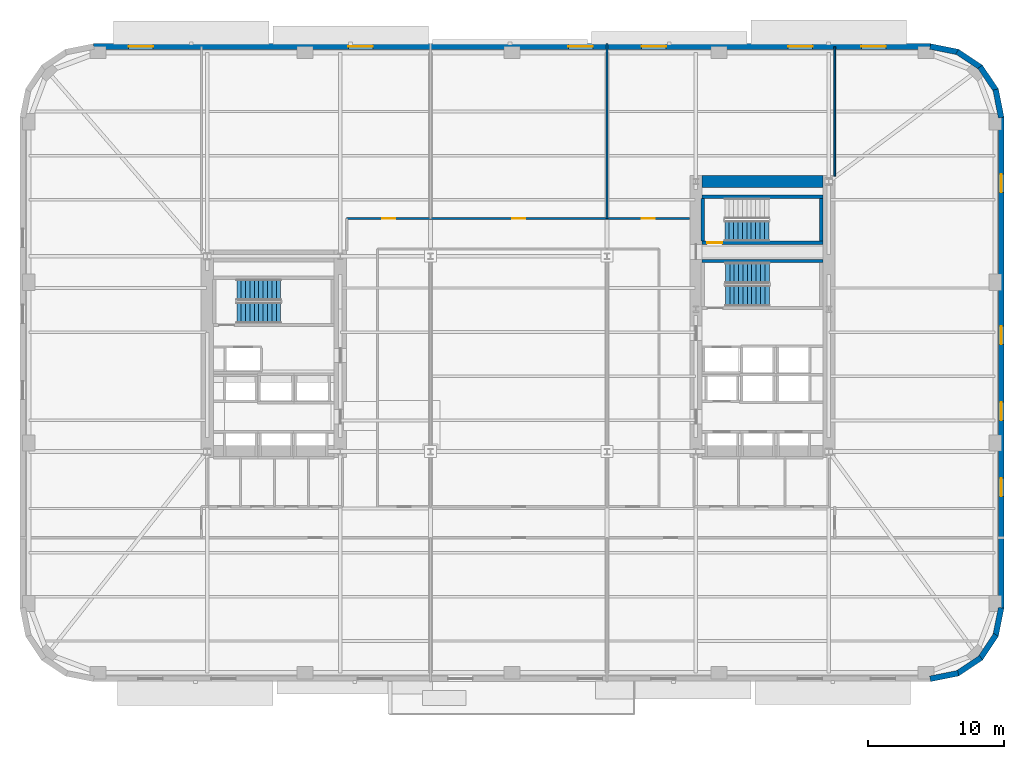
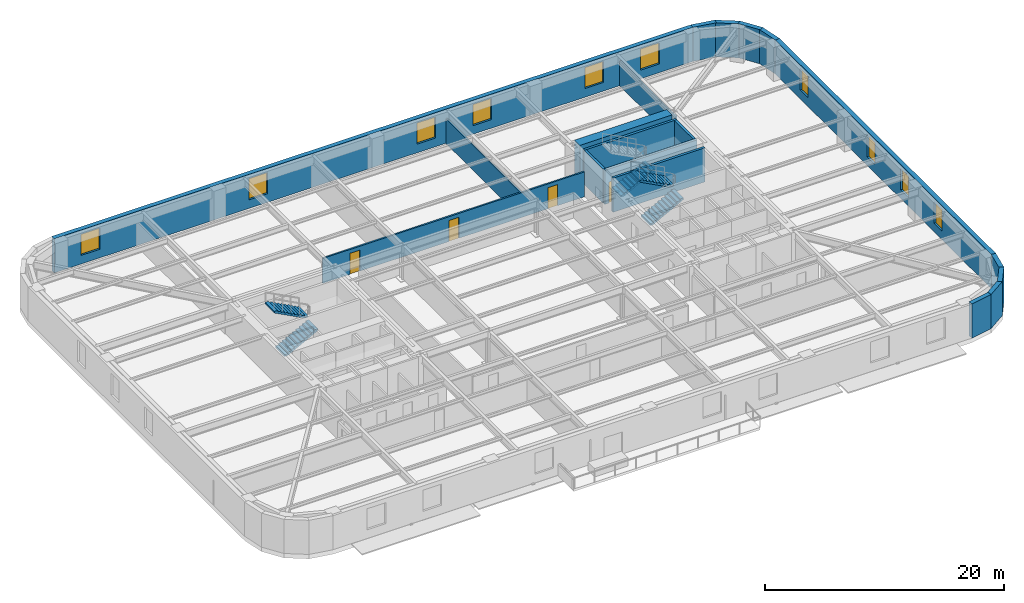
# One storey, part 7 of 15: 19 walls, 10 windows, 5 stair flights, 4 doors, 14 openings, 3 elements without a shape of their own.
"""IFC4 building model written with IfcOpenShell, lengths in metres."""

from ifc_helpers import new_model, si_unit, direction, frame, frame_2d, origin, place, context, subcontext, project, spatial, polyline, rectangle, outline, extrude, material, layer, layer_set, type_object, element, fill, aggregate, save


model = new_model("IFC4")

# Units and contexts
model_context = context("Model", 3, precision=1e-05, world=origin(), true_north=direction((0.0, 1.0)))
body_context = subcontext(model_context, "Body", "Model", "MODEL_VIEW")
ifc_project = project(units=[si_unit("LENGTHUNIT", "METRE"), si_unit("AREAUNIT", "SQUARE_METRE"), si_unit("VOLUMEUNIT", "CUBIC_METRE"), si_unit("PLANEANGLEUNIT", "RADIAN"), si_unit("MASSUNIT", "GRAM", prefix="KILO")], contexts=[model_context])

# Site, building, storey
site_placement = place(None, origin())
site = spatial("IfcSite", under=ifc_project, at=site_placement, CompositionType="ELEMENT")
building_placement = place(site_placement, origin())
building = spatial("IfcBuilding", under=site, at=building_placement, Name="Kolvaren Arena Tower", CompositionType="ELEMENT")
storey_placement = place(building_placement, frame((0.0, 0.0, 42.0)))
storey = spatial("IfcBuildingStorey", under=building, at=storey_placement, Name="L07", CompositionType="ELEMENT", Elevation=42.0)

# Wall, openings, doors
ifc_material_1 = material(Name="Gypsum board acoustic assembly", Category="gypsum")
ifc_layer_1 = layer(ifc_material_1, 0.159912109375)
ifc_layer_set_1 = layer_set([ifc_layer_1], Name="Gypsum board acoustic assembly")
wall_type_1 = type_object("IfcWallType", Name="CORR-160", PredefinedType="PARTITIONING", material=ifc_layer_set_1)
wall_1_placement = place(storey_placement, frame((24.820068359375, 36.6201171875, 0.0), z_axis=(0.0, 0.0, 1.0), x_axis=(1.0, 0.0, 0.0)))
wall_1 = element("IfcWall", 1, at=wall_1_placement, inside=storey, type_object=wall_type_1, Name="Interior Partition Wall (L07)", PredefinedType="PARTITIONING", context=body_context, shape_type="SweptSolid", body=[
    extrude(rectangle(XDim=25.260009765625, YDim=0.159912109375, at=frame_2d((12.6298828125, 0.0))), origin(), (0.0, 0.0, 1.0), 2.5400390625),
])
opening_1_placement = place(wall_1_placement, frame((2.6298828125, 0.0, 0.0)))
opening_1 = element("IfcOpeningElement", 2, at=opening_1_placement, cuts=wall_1, Name="Opening D05", PredefinedType="OPENING", context=body_context, shape_type="SweptSolid", body=[
    extrude(rectangle(XDim=0.949951171875, YDim=2.14990234375, at=frame_2d((0.47509765625, 1.074951171875))), frame((0.0, 0.08984375, 0.0), z_axis=(0.0, -1.0, 0.0), x_axis=(1.0, 0.0, 0.0)), (0.0, 0.0, 1.0), 0.179931640625),
])
opening_2_placement = place(wall_1_placement, frame((12.205078125, 0.0, 0.0)))
opening_2 = element("IfcOpeningElement", 3, at=opening_2_placement, cuts=wall_1, Name="Opening D05", PredefinedType="OPENING", context=body_context, shape_type="SweptSolid", body=[
    extrude(rectangle(XDim=0.949951171875, YDim=2.14990234375, at=frame_2d((0.47509765625, 1.074951171875))), frame((0.0, 0.08984375, 0.0), z_axis=(0.0, -1.0, 0.0), x_axis=(1.0, 0.0, 0.0)), (0.0, 0.0, 1.0), 0.179931640625),
])
opening_3_placement = place(wall_1_placement, frame((21.72998046875, 0.0, 0.0)))
opening_3 = element("IfcOpeningElement", 4, at=opening_3_placement, cuts=wall_1, Name="Opening D05", PredefinedType="OPENING", context=body_context, shape_type="SweptSolid", body=[
    extrude(rectangle(XDim=0.949951171875, YDim=2.14990234375, at=frame_2d((0.47509765625, 1.074951171875))), frame((0.0, 0.08984375, 0.0), z_axis=(0.0, -1.0, 0.0), x_axis=(1.0, 0.0, 0.0)), (0.0, 0.0, 1.0), 0.179931640625),
])
ifc_material_2 = material(Name="Solid-core oak acoustic office door", Category="wood")
door_type_1 = type_object("IfcDoorType", Name="DOOR-OF-095", OperationType="NOTDEFINED", PredefinedType="DOOR", material=ifc_material_2)
door_1_placement = place(opening_1_placement, origin())
door_1 = element("IfcDoor", 5, at=door_1_placement, inside=storey, type_object=door_type_1, Name="Breakout Pantry and Kitchen Door (L07)", OperationType="SINGLE_SWING_RIGHT", OverallHeight=2.14990234375, OverallWidth=0.949951171875, PredefinedType="DOOR", context=body_context, shape_type="SweptSolid", body=[
    extrude(rectangle(XDim=0.949951171875, YDim=2.14990234375, at=frame_2d((0.47509765625, 1.074951171875))), frame((0.0, 0.02490234375, 0.0), z_axis=(0.0, -1.0, 0.0), x_axis=(1.0, 0.0, 0.0)), (0.0, 0.0, 1.0), 0.050048828125),
])
fill(opening_1, door_1)
door_2_placement = place(opening_2_placement, origin())
door_2 = element("IfcDoor", 6, at=door_2_placement, inside=storey, type_object=door_type_1, Name="Corporate Project Office Door (L07)", OperationType="SINGLE_SWING_LEFT", OverallHeight=2.14990234375, OverallWidth=0.949951171875, PredefinedType="DOOR", context=body_context, shape_type="SweptSolid", body=[
    extrude(rectangle(XDim=0.949951171875, YDim=2.14990234375, at=frame_2d((0.47509765625, 1.074951171875))), frame((0.0, 0.02490234375, 0.0), z_axis=(0.0, -1.0, 0.0), x_axis=(1.0, 0.0, 0.0)), (0.0, 0.0, 1.0), 0.050048828125),
])
fill(opening_2, door_2)
door_3_placement = place(opening_3_placement, origin())
door_3 = element("IfcDoor", 7, at=door_3_placement, inside=storey, type_object=door_type_1, Name="Executive Office Door (L07)", OperationType="SINGLE_SWING_RIGHT", OverallHeight=2.14990234375, OverallWidth=0.949951171875, PredefinedType="DOOR", context=body_context, shape_type="SweptSolid", body=[
    extrude(rectangle(XDim=0.949951171875, YDim=2.14990234375, at=frame_2d((0.47509765625, 1.074951171875))), frame((0.0, 0.02490234375, 0.0), z_axis=(0.0, -1.0, 0.0), x_axis=(1.0, 0.0, 0.0)), (0.0, 0.0, 1.0), 0.050048828125),
])
fill(opening_3, door_3)

# Walls
ifc_material_3 = material(Name="Concrete 80 MPa", Category="concrete")
ifc_layer_2 = layer(ifc_material_3, 0.89990234375)
ifc_layer_set_2 = layer_set([ifc_layer_2], Name="Concrete 80 MPa")
wall_type_2 = type_object("IfcWallType", Name="CWALL-900", PredefinedType="SHEAR", material=ifc_layer_set_2)
wall_2_placement = place(storey_placement, frame((51.0, 39.35009765625, -0.449951171875), z_axis=(0.0, 0.0, 1.0), x_axis=(1.0, 0.0, 0.0)))
element("IfcWall", 8, at=wall_2_placement, inside=storey, type_object=wall_type_2, Name="Core Shear Wall EC-NORTH (L07)", PredefinedType="SHEAR", context=body_context, shape_type="SweptSolid", body=[
    extrude(rectangle(XDim=8.89990234375, YDim=0.89990234375, at=frame_2d((4.449951171875, 0.0))), origin(), (0.0, 0.0, 1.0), 3.929931640625),
])
ifc_material_4 = material(Name="Precast concrete C50/60", Category="concrete")
ifc_layer_3 = layer(ifc_material_4, 0.419921875)
ifc_layer_set_3 = layer_set([ifc_layer_3], Name="Precast concrete C50/60")
wall_type_3 = type_object("IfcWallType", Name="EXT-PIER1", PredefinedType="SOLIDWALL", material=ifc_layer_set_3)
for number, where, z_axis, x_axis, name in (
    (9, (69.87548828125, 3.1171875, 0.0), (0.0, 0.0, 1.0), (-0.9807762837, -0.195135546048, 0.0), "Exterior Precast Masonry-Frame Wall (L07)"),
    (10, (71.5517578125, 4.256103515625, 0.0), (0.0, 0.0, 1.0), (-0.831515102434, -0.555502146192, 0.0), "Exterior Precast Masonry-Frame Wall (L07)"),
    (11, (72.664306640625, 5.9501953125, 0.0), (0.0, 0.0, 1.0), (-0.555502146192, -0.831515102434, 0.0), "Exterior Precast Masonry-Frame Wall (L07)"),
    (12, (73.0439453125, 7.94091796875, 0.0), (0.0, 0.0, 1.0), (-0.195135546048, -0.9807762837, 0.0), "Exterior Precast Masonry-Frame Wall (L07)"),
):
    element("IfcWall", number, at=place(storey_placement, frame(where, z_axis=z_axis, x_axis=x_axis)), inside=storey, type_object=wall_type_3, Name=name, PredefinedType="SOLIDWALL", context=body_context, shape_type="SweptSolid", body=[
        extrude(rectangle(XDim=2.10693359375, YDim=0.419921875, at=frame_2d((1.053466796875, 0.0))), origin(), (0.0, 0.0, 1.0), 3.47998046875),
    ])

# Wall, openings, windows
wall_3_placement = place(storey_placement, frame((73.0400390625, 44.10009765625, 0.0), z_axis=(0.0, 0.0, 1.0), x_axis=(0.0, -1.0, 0.0)))
wall_3 = element("IfcWall", 13, at=wall_3_placement, inside=storey, type_object=wall_type_3, Name="Exterior Precast Masonry-Frame Wall (L07)", PredefinedType="SOLIDWALL", context=body_context, shape_type="SweptSolid", body=[
    extrude(rectangle(XDim=36.2001953125, YDim=0.419921875, at=frame_2d((18.10009765625, 0.0))), origin(), (0.0, 0.0, 1.0), 3.47998046875),
])
opening_4_placement = place(wall_3_placement, frame((4.199951171875, 0.0, 0.8798828125)))
opening_4 = element("IfcOpeningElement", 14, at=opening_4_placement, cuts=wall_3, Name="Opening W04", PredefinedType="OPENING", context=body_context, shape_type="SweptSolid", body=[
    extrude(rectangle(XDim=1.35009765625, YDim=2.199951171875, at=frame_2d((0.675048828125, 1.10009765625))), frame((0.0, 0.219970703125, 0.0), z_axis=(0.0, -1.0, 0.0), x_axis=(1.0, 0.0, 0.0)), (0.0, 0.0, 1.0), 0.43994140625),
])
opening_5_placement = place(wall_3_placement, frame((15.39990234375, 0.0, 0.8798828125)))
opening_5 = element("IfcOpeningElement", 15, at=opening_5_placement, cuts=wall_3, Name="Opening W04", PredefinedType="OPENING", context=body_context, shape_type="SweptSolid", body=[
    extrude(rectangle(XDim=1.35009765625, YDim=2.199951171875, at=frame_2d((0.675048828125, 1.10009765625))), frame((0.0, 0.219970703125, 0.0), z_axis=(0.0, -1.0, 0.0), x_axis=(1.0, 0.0, 0.0)), (0.0, 0.0, 1.0), 0.43994140625),
])
opening_6_placement = place(wall_3_placement, frame((21.0, 0.0, 0.8798828125)))
opening_6 = element("IfcOpeningElement", 16, at=opening_6_placement, cuts=wall_3, Name="Opening W04", PredefinedType="OPENING", context=body_context, shape_type="SweptSolid", body=[
    extrude(rectangle(XDim=1.35009765625, YDim=2.199951171875, at=frame_2d((0.675048828125, 1.10009765625))), frame((0.0, 0.219970703125, 0.0), z_axis=(0.0, -1.0, 0.0), x_axis=(1.0, 0.0, 0.0)), (0.0, 0.0, 1.0), 0.43994140625),
])
opening_7_placement = place(wall_3_placement, frame((26.60009765625, 0.0, 0.8798828125)))
opening_7 = element("IfcOpeningElement", 17, at=opening_7_placement, cuts=wall_3, Name="Opening W04", PredefinedType="OPENING", context=body_context, shape_type="SweptSolid", body=[
    extrude(rectangle(XDim=1.35009765625, YDim=2.199951171875, at=frame_2d((0.675048828125, 1.10009765625))), frame((0.0, 0.219970703125, 0.0), z_axis=(0.0, -1.0, 0.0), x_axis=(1.0, 0.0, 0.0)), (0.0, 0.0, 1.0), 0.43994140625),
])
ifc_material_5 = material(Name="Triple-glazed curved-facet corner window", Category="glass")
window_type_1 = type_object("IfcWindowType", Name="WIN-CRN-A", PartitioningType="SINGLE_PANEL", PredefinedType="WINDOW", material=ifc_material_5)
window_1_placement = place(opening_4_placement, origin())
window_1 = element("IfcWindow", 18, at=window_1_placement, inside=storey, type_object=window_type_1, Name="End-Wall Punched Window (L07)", OverallHeight=2.199951171875, OverallWidth=1.35009765625, PartitioningType="SINGLE_PANEL", PredefinedType="WINDOW", context=body_context, shape_type="SweptSolid", body=[
    extrude(rectangle(XDim=1.35009765625, YDim=2.199951171875, at=frame_2d((0.675048828125, 1.10009765625))), frame((0.0, 0.030029296875, 0.0), z_axis=(0.0, -1.0, 0.0), x_axis=(1.0, 0.0, 0.0)), (0.0, 0.0, 1.0), 0.06005859375),
])
fill(opening_4, window_1)
window_2_placement = place(opening_5_placement, origin())
window_2 = element("IfcWindow", 19, at=window_2_placement, inside=storey, type_object=window_type_1, Name="End-Wall Punched Window (L07)", OverallHeight=2.199951171875, OverallWidth=1.35009765625, PartitioningType="SINGLE_PANEL", PredefinedType="WINDOW", context=body_context, shape_type="SweptSolid", body=[
    extrude(rectangle(XDim=1.35009765625, YDim=2.199951171875, at=frame_2d((0.675048828125, 1.10009765625))), frame((0.0, 0.030029296875, 0.0), z_axis=(0.0, -1.0, 0.0), x_axis=(1.0, 0.0, 0.0)), (0.0, 0.0, 1.0), 0.06005859375),
])
fill(opening_5, window_2)
window_3_placement = place(opening_6_placement, origin())
window_3 = element("IfcWindow", 20, at=window_3_placement, inside=storey, type_object=window_type_1, Name="End-Wall Punched Window (L07)", OverallHeight=2.199951171875, OverallWidth=1.35009765625, PartitioningType="SINGLE_PANEL", PredefinedType="WINDOW", context=body_context, shape_type="SweptSolid", body=[
    extrude(rectangle(XDim=1.35009765625, YDim=2.199951171875, at=frame_2d((0.675048828125, 1.10009765625))), frame((0.0, 0.030029296875, 0.0), z_axis=(0.0, -1.0, 0.0), x_axis=(1.0, 0.0, 0.0)), (0.0, 0.0, 1.0), 0.06005859375),
])
fill(opening_6, window_3)
window_4_placement = place(opening_7_placement, origin())
window_4 = element("IfcWindow", 21, at=window_4_placement, inside=storey, type_object=window_type_1, Name="End-Wall Punched Window (L07)", OverallHeight=2.199951171875, OverallWidth=1.35009765625, PartitioningType="SINGLE_PANEL", PredefinedType="WINDOW", context=body_context, shape_type="SweptSolid", body=[
    extrude(rectangle(XDim=1.35009765625, YDim=2.199951171875, at=frame_2d((0.675048828125, 1.10009765625))), frame((0.0, 0.030029296875, 0.0), z_axis=(0.0, -1.0, 0.0), x_axis=(1.0, 0.0, 0.0)), (0.0, 0.0, 1.0), 0.06005859375),
])
fill(opening_7, window_4)

# Walls
for number, where, z_axis, x_axis, name in (
    (22, (72.6328125, 46.12548828125, 0.0), (0.0, 0.0, 1.0), (0.195135546048, -0.9807762837, 0.0), "Exterior Precast Masonry-Frame Wall (L07)"),
    (23, (71.493896484375, 47.8017578125, 0.0), (0.0, 0.0, 1.0), (0.555502146192, -0.831515102434, 0.0), "Exterior Precast Masonry-Frame Wall (L07)"),
    (24, (69.7998046875, 48.914306640625, 0.0), (0.0, 0.0, 1.0), (0.831515102434, -0.555502146192, 0.0), "Exterior Precast Masonry-Frame Wall (L07)"),
    (25, (67.80908203125, 49.2939453125, 0.0), (0.0, 0.0, 1.0), (0.9807762837, -0.195135546048, 0.0), "Exterior Precast Masonry-Frame Wall (L07)"),
):
    element("IfcWall", number, at=place(storey_placement, frame(where, z_axis=z_axis, x_axis=x_axis)), inside=storey, type_object=wall_type_3, Name=name, PredefinedType="SOLIDWALL", context=body_context, shape_type="SweptSolid", body=[
        extrude(rectangle(XDim=2.10693359375, YDim=0.419921875, at=frame_2d((1.053466796875, 0.0))), origin(), (0.0, 0.0, 1.0), 3.47998046875),
    ])

# Wall, openings, windows
wall_4_placement = place(storey_placement, frame((6.14990234375, 49.2900390625, 0.0), z_axis=(0.0, 0.0, 1.0), x_axis=(1.0, 0.0, 0.0)))
wall_4 = element("IfcWall", 26, at=wall_4_placement, inside=storey, type_object=wall_type_3, Name="Exterior Precast Masonry-Frame Wall (L07)", PredefinedType="SOLIDWALL", context=body_context, shape_type="SweptSolid", body=[
    extrude(rectangle(XDim=61.7001953125, YDim=0.419921875, at=frame_2d((30.85009765625, 0.0))), origin(), (0.0, 0.0, 1.0), 3.47998046875),
])
opening_8_placement = place(wall_4_placement, frame((2.60009765625, 0.0, 0.8798828125)))
opening_8 = element("IfcOpeningElement", 27, at=opening_8_placement, cuts=wall_4, Name="Opening W02", PredefinedType="OPENING", context=body_context, shape_type="SweptSolid", body=[
    extrude(rectangle(XDim=1.800048828125, YDim=2.14990234375, at=frame_2d((0.89990234375, 1.074951171875))), frame((0.0, 0.219970703125, 0.0), z_axis=(0.0, -1.0, 0.0), x_axis=(1.0, 0.0, 0.0)), (0.0, 0.0, 1.0), 0.43994140625),
])
opening_9_placement = place(wall_4_placement, frame((18.800048828125, 0.0, 0.8798828125)))
opening_9 = element("IfcOpeningElement", 28, at=opening_9_placement, cuts=wall_4, Name="Opening W02", PredefinedType="OPENING", context=body_context, shape_type="SweptSolid", body=[
    extrude(rectangle(XDim=1.800048828125, YDim=2.14990234375, at=frame_2d((0.89990234375, 1.074951171875))), frame((0.0, 0.219970703125, 0.0), z_axis=(0.0, -1.0, 0.0), x_axis=(1.0, 0.0, 0.0)), (0.0, 0.0, 1.0), 0.43994140625),
])
opening_10_placement = place(wall_4_placement, frame((35.0, 0.0, 0.8798828125)))
opening_10 = element("IfcOpeningElement", 29, at=opening_10_placement, cuts=wall_4, Name="Opening W02", PredefinedType="OPENING", context=body_context, shape_type="SweptSolid", body=[
    extrude(rectangle(XDim=1.800048828125, YDim=2.14990234375, at=frame_2d((0.89990234375, 1.074951171875))), frame((0.0, 0.219970703125, 0.0), z_axis=(0.0, -1.0, 0.0), x_axis=(1.0, 0.0, 0.0)), (0.0, 0.0, 1.0), 0.43994140625),
])
opening_11_placement = place(wall_4_placement, frame((40.39990234375, 0.0, 0.8798828125)))
opening_11 = element("IfcOpeningElement", 30, at=opening_11_placement, cuts=wall_4, Name="Opening W02", PredefinedType="OPENING", context=body_context, shape_type="SweptSolid", body=[
    extrude(rectangle(XDim=1.800048828125, YDim=2.14990234375, at=frame_2d((0.89990234375, 1.074951171875))), frame((0.0, 0.219970703125, 0.0), z_axis=(0.0, -1.0, 0.0), x_axis=(1.0, 0.0, 0.0)), (0.0, 0.0, 1.0), 0.43994140625),
])
opening_12_placement = place(wall_4_placement, frame((51.199951171875, 0.0, 0.8798828125)))
opening_12 = element("IfcOpeningElement", 31, at=opening_12_placement, cuts=wall_4, Name="Opening W02", PredefinedType="OPENING", context=body_context, shape_type="SweptSolid", body=[
    extrude(rectangle(XDim=1.800048828125, YDim=2.14990234375, at=frame_2d((0.89990234375, 1.074951171875))), frame((0.0, 0.219970703125, 0.0), z_axis=(0.0, -1.0, 0.0), x_axis=(1.0, 0.0, 0.0)), (0.0, 0.0, 1.0), 0.43994140625),
])
opening_13_placement = place(wall_4_placement, frame((56.60009765625, 0.0, 0.8798828125)))
opening_13 = element("IfcOpeningElement", 32, at=opening_13_placement, cuts=wall_4, Name="Opening W02", PredefinedType="OPENING", context=body_context, shape_type="SweptSolid", body=[
    extrude(rectangle(XDim=1.800048828125, YDim=2.14990234375, at=frame_2d((0.89990234375, 1.074951171875))), frame((0.0, 0.219970703125, 0.0), z_axis=(0.0, -1.0, 0.0), x_axis=(1.0, 0.0, 0.0)), (0.0, 0.0, 1.0), 0.43994140625),
])
ifc_material_6 = material(Name="Triple-glazed low-E aluminium window", Category="aluminium")
window_type_2 = type_object("IfcWindowType", Name="WIN-OFF-B", PartitioningType="DOUBLE_PANEL_VERTICAL", PredefinedType="WINDOW", material=ifc_material_6)
window_5_placement = place(opening_8_placement, origin())
window_5 = element("IfcWindow", 33, at=window_5_placement, inside=storey, type_object=window_type_2, Name="Punched Precast-Pier Window (L07)", OverallHeight=2.14990234375, OverallWidth=1.800048828125, PartitioningType="DOUBLE_PANEL_VERTICAL", PredefinedType="WINDOW", context=body_context, shape_type="SweptSolid", body=[
    extrude(rectangle(XDim=1.800048828125, YDim=2.14990234375, at=frame_2d((0.89990234375, 1.074951171875))), frame((0.0, 0.030029296875, 0.0), z_axis=(0.0, -1.0, 0.0), x_axis=(1.0, 0.0, 0.0)), (0.0, 0.0, 1.0), 0.06005859375),
])
fill(opening_8, window_5)
window_6_placement = place(opening_9_placement, origin())
window_6 = element("IfcWindow", 34, at=window_6_placement, inside=storey, type_object=window_type_2, Name="Punched Precast-Pier Window (L07)", OverallHeight=2.14990234375, OverallWidth=1.800048828125, PartitioningType="DOUBLE_PANEL_VERTICAL", PredefinedType="WINDOW", context=body_context, shape_type="SweptSolid", body=[
    extrude(rectangle(XDim=1.800048828125, YDim=2.14990234375, at=frame_2d((0.89990234375, 1.074951171875))), frame((0.0, 0.030029296875, 0.0), z_axis=(0.0, -1.0, 0.0), x_axis=(1.0, 0.0, 0.0)), (0.0, 0.0, 1.0), 0.06005859375),
])
fill(opening_9, window_6)
window_7_placement = place(opening_10_placement, origin())
window_7 = element("IfcWindow", 35, at=window_7_placement, inside=storey, type_object=window_type_2, Name="Punched Precast-Pier Window (L07)", OverallHeight=2.14990234375, OverallWidth=1.800048828125, PartitioningType="DOUBLE_PANEL_VERTICAL", PredefinedType="WINDOW", context=body_context, shape_type="SweptSolid", body=[
    extrude(rectangle(XDim=1.800048828125, YDim=2.14990234375, at=frame_2d((0.89990234375, 1.074951171875))), frame((0.0, 0.030029296875, 0.0), z_axis=(0.0, -1.0, 0.0), x_axis=(1.0, 0.0, 0.0)), (0.0, 0.0, 1.0), 0.06005859375),
])
fill(opening_10, window_7)
window_8_placement = place(opening_11_placement, origin())
window_8 = element("IfcWindow", 36, at=window_8_placement, inside=storey, type_object=window_type_2, Name="Punched Precast-Pier Window (L07)", OverallHeight=2.14990234375, OverallWidth=1.800048828125, PartitioningType="DOUBLE_PANEL_VERTICAL", PredefinedType="WINDOW", context=body_context, shape_type="SweptSolid", body=[
    extrude(rectangle(XDim=1.800048828125, YDim=2.14990234375, at=frame_2d((0.89990234375, 1.074951171875))), frame((0.0, 0.030029296875, 0.0), z_axis=(0.0, -1.0, 0.0), x_axis=(1.0, 0.0, 0.0)), (0.0, 0.0, 1.0), 0.06005859375),
])
fill(opening_11, window_8)
window_9_placement = place(opening_12_placement, origin())
window_9 = element("IfcWindow", 37, at=window_9_placement, inside=storey, type_object=window_type_2, Name="Punched Precast-Pier Window (L07)", OverallHeight=2.14990234375, OverallWidth=1.800048828125, PartitioningType="DOUBLE_PANEL_VERTICAL", PredefinedType="WINDOW", context=body_context, shape_type="SweptSolid", body=[
    extrude(rectangle(XDim=1.800048828125, YDim=2.14990234375, at=frame_2d((0.89990234375, 1.074951171875))), frame((0.0, 0.030029296875, 0.0), z_axis=(0.0, -1.0, 0.0), x_axis=(1.0, 0.0, 0.0)), (0.0, 0.0, 1.0), 0.06005859375),
])
fill(opening_12, window_9)
window_10_placement = place(opening_13_placement, origin())
window_10 = element("IfcWindow", 38, at=window_10_placement, inside=storey, type_object=window_type_2, Name="Punched Precast-Pier Window (L07)", OverallHeight=2.14990234375, OverallWidth=1.800048828125, PartitioningType="DOUBLE_PANEL_VERTICAL", PredefinedType="WINDOW", context=body_context, shape_type="SweptSolid", body=[
    extrude(rectangle(XDim=1.800048828125, YDim=2.14990234375, at=frame_2d((0.89990234375, 1.074951171875))), frame((0.0, 0.030029296875, 0.0), z_axis=(0.0, -1.0, 0.0), x_axis=(1.0, 0.0, 0.0)), (0.0, 0.0, 1.0), 0.06005859375),
])
fill(opening_13, window_10)

# Walls
ifc_material_7 = material(Name="Gypsum board partition assembly", Category="gypsum")
ifc_layer_4 = layer(ifc_material_7, 0.135009765625)
ifc_layer_set_4 = layer_set([ifc_layer_4], Name="Gypsum board partition assembly")
wall_type_4 = type_object("IfcWallType", Name="PART-135", PredefinedType="PARTITIONING", material=ifc_layer_set_4)
wall_5_placement = place(storey_placement, frame((44.0, 36.6201171875, 0.0), z_axis=(0.0, 0.0, 1.0), x_axis=(0.0, 1.0, 0.0)))
element("IfcWall", 39, at=wall_5_placement, inside=storey, type_object=wall_type_4, Name="Interior Partition Wall (L07)", PredefinedType="PARTITIONING", context=body_context, shape_type="SweptSolid", body=[
    extrude(rectangle(XDim=12.8798828125, YDim=0.135009765625, at=frame_2d((6.43994140625, 0.0))), origin(), (0.0, 0.0, 1.0), 2.5400390625),
])
wall_6_placement = place(storey_placement, frame((60.780029296875, 39.75, 0.0), z_axis=(0.0, 0.0, 1.0), x_axis=(0.0, 1.0, 0.0)))
element("IfcWall", 40, at=wall_6_placement, inside=storey, type_object=wall_type_4, Name="Interior Partition Wall (L07)", PredefinedType="PARTITIONING", context=body_context, shape_type="SweptSolid", body=[
    extrude(rectangle(XDim=9.510009765625, YDim=0.135009765625, at=frame_2d((4.7548828125, 0.0))), origin(), (0.0, 0.0, 1.0), 2.5400390625),
])
ifc_material_8 = material(Name="Concrete 45 MPa", Category="concrete")
ifc_layer_5 = layer(ifc_material_8, 0.25)
ifc_layer_set_5 = layer_set([ifc_layer_5], Name="Concrete 45 MPa")
wall_type_5 = type_object("IfcWallType", Name="SHAFT-250", PredefinedType="SOLIDWALL", material=ifc_layer_set_5)
wall_7_placement = place(storey_placement, frame((51.0, 33.5, 0.0), z_axis=(0.0, 0.0, 1.0), x_axis=(1.0, 0.0, 0.0)))
element("IfcWall", 41, at=wall_7_placement, inside=storey, type_object=wall_type_5, Name="Core Shaft Wall (L07)", PredefinedType="SOLIDWALL", context=body_context, shape_type="SweptSolid", body=[
    extrude(rectangle(XDim=8.89990234375, YDim=0.239990234375, at=frame_2d((4.449951171875, 0.0))), origin(), (0.0, 0.0, 1.0), 3.47998046875),
])

# Wall, opening, door
wall_8_placement = place(storey_placement, frame((59.89990234375, 34.830078125, 0.0), z_axis=(0.0, 0.0, 1.0), x_axis=(-1.0, 0.0, 0.0)))
wall_8 = element("IfcWall", 42, at=wall_8_placement, inside=storey, type_object=wall_type_5, Name="Core Shaft Wall (L07)", PredefinedType="SOLIDWALL", context=body_context, shape_type="SweptSolid", body=[
    extrude(rectangle(XDim=8.89990234375, YDim=0.239990234375, at=frame_2d((4.449951171875, 0.0))), origin(), (0.0, 0.0, 1.0), 3.47998046875),
])
opening_14_placement = place(wall_8_placement, frame((7.419921875, 0.0, 0.0)))
opening_14 = element("IfcOpeningElement", 43, at=opening_14_placement, cuts=wall_8, Name="Opening D03", PredefinedType="OPENING", context=body_context, shape_type="SweptSolid", body=[
    extrude(rectangle(XDim=1.10009765625, YDim=2.14990234375, at=frame_2d((0.550048828125, 1.074951171875))), frame((0.0, 0.1298828125, 0.0), z_axis=(0.0, -1.0, 0.0), x_axis=(1.0, 0.0, 0.0)), (0.0, 0.0, 1.0), 0.260009765625),
])
ifc_material_9 = material(Name="Fire-rated steel exit stair door", Category="steel")
door_type_2 = type_object("IfcDoorType", Name="DOOR-ST-110", OperationType="NOTDEFINED", PredefinedType="DOOR", material=ifc_material_9)
door_4_placement = place(opening_14_placement, origin())
door_4 = element("IfcDoor", 44, at=door_4_placement, inside=storey, type_object=door_type_2, Name="Stair ST-E2 Fire Door (L07)", OperationType="SINGLE_SWING_LEFT", OverallHeight=2.14990234375, OverallWidth=1.10009765625, PredefinedType="DOOR", context=body_context, shape_type="SweptSolid", body=[
    extrude(rectangle(XDim=1.10009765625, YDim=2.14990234375, at=frame_2d((0.550048828125, 1.074951171875))), frame((0.0, 0.02490234375, 0.0), z_axis=(0.0, -1.0, 0.0), x_axis=(1.0, 0.0, 0.0)), (0.0, 0.0, 1.0), 0.050048828125),
])
fill(opening_14, door_4)

# Walls
wall_9_placement = place(storey_placement, frame((51.0, 38.219970703125, 0.0), z_axis=(0.0, 0.0, 1.0), x_axis=(1.0, 0.0, 0.0)))
element("IfcWall", 45, at=wall_9_placement, inside=storey, type_object=wall_type_5, Name="Core Shaft Wall (L07)", PredefinedType="SOLIDWALL", context=body_context, shape_type="SweptSolid", body=[
    extrude(rectangle(XDim=8.89990234375, YDim=0.239990234375, at=frame_2d((4.449951171875, 0.0))), origin(), (0.0, 0.0, 1.0), 3.47998046875),
])
for number, where, z_axis, x_axis, name in (
    (46, (51.06005859375, 34.949951171875, 0.0), (0.0, 0.0, 1.0), (0.0, 1.0, 0.0), "Core Shaft Wall (L07)"),
    (47, (59.780029296875, 34.949951171875, 0.0), (0.0, 0.0, 1.0), (0.0, 1.0, 0.0), "Core Shaft Wall (L07)"),
):
    element("IfcWall", number, at=place(storey_placement, frame(where, z_axis=z_axis, x_axis=x_axis)), inside=storey, type_object=wall_type_5, Name=name, PredefinedType="SOLIDWALL", context=body_context, shape_type="SweptSolid", body=[
        extrude(rectangle(XDim=3.150146484375, YDim=0.239990234375, at=frame_2d((1.5751953125, 0.0))), origin(), (0.0, 0.0, 1.0), 3.47998046875),
    ])

# Stair, stair flight
stair_type_1 = type_object("IfcStairType", Name="STAIR-CORE-150", PredefinedType="HALF_TURN_STAIR", material=ifc_material_8)
stair_1_placement = place(storey_placement, origin())
stair_1 = element("IfcStair", 48, at=stair_1_placement, inside=storey, type_object=stair_type_1, Name="L07 ST-E2", PredefinedType="HALF_TURN_STAIR")
stair_flight_type_1 = type_object("IfcStairFlightType", Name="FLT-150", PredefinedType="STRAIGHT", material=ifc_material_8)
stair_flight_1_placement = place(storey_placement, frame((52.679931640625, 35.699951171875, 0.0), z_axis=(0.0, 0.0, 1.0), x_axis=(1.0, 0.0, 0.0)))
stair_flight_1 = element("IfcStairFlight", 49, at=stair_flight_1_placement, type_object=stair_flight_type_1, Name="ST-E2 flight 1", NumberOfRisers=11, NumberOfTreads=10, PredefinedType="STRAIGHT", RiserHeight=0.170454545, TreadLength=0.324, context=body_context, shape_type="SweptSolid", body=[
    extrude(outline(polyline([(0.0, 0.0), (0.0, 0.17041015625), (0.323974609375, 0.17041015625), (0.323974609375, 0.3408203125), (0.64794921875, 0.3408203125), (0.64794921875, 0.511474609375), (0.971923828125, 0.511474609375), (0.971923828125, 0.681884765625), (1.2958984375, 0.681884765625), (1.2958984375, 0.852294921875), (1.6201171875, 0.852294921875), (1.6201171875, 1.022705078125), (1.944091796875, 1.022705078125), (1.944091796875, 1.193115234375), (2.26806640625, 1.193115234375), (2.26806640625, 1.363525390625), (2.592041015625, 1.363525390625), (2.592041015625, 1.5341796875), (2.916015625, 1.5341796875), (2.916015625, 1.70458984375), (3.239990234375, 1.70458984375), (3.239990234375, 1.875), (3.239990234375, 1.53515625), (0.322021484375, 0.0), (0.0, 0.0)])), frame((0.0, 0.75, 0.0), z_axis=(0.0, -1.0, 0.0), x_axis=(1.0, 0.0, 0.0)), (0.0, 0.0, 1.0), 1.5),
])
aggregate(stair_1, [stair_flight_1])

# Stair, stair flights
stair_type_2 = type_object("IfcStairType", Name="STAIR-CORE-165", PredefinedType="HALF_TURN_STAIR", material=ifc_material_8)
stair_2_placement = place(storey_placement, origin())
stair_2 = element("IfcStair", 50, at=stair_2_placement, inside=storey, type_object=stair_type_2, Name="L07 ST-W1", PredefinedType="HALF_TURN_STAIR")
stair_flight_type_2 = type_object("IfcStairFlightType", Name="FLT-165", PredefinedType="STRAIGHT", material=ifc_material_8)
stair_flight_2_placement = place(storey_placement, frame((16.719970703125, 29.669921875, 0.0), z_axis=(0.0, 0.0, 1.0), x_axis=(1.0, 0.0, 0.0)))
stair_flight_2 = element("IfcStairFlight", 51, at=stair_flight_2_placement, type_object=stair_flight_type_2, Name="ST-W1 flight 1", NumberOfRisers=11, NumberOfTreads=10, PredefinedType="STRAIGHT", RiserHeight=0.170454545, TreadLength=0.324, context=body_context, shape_type="SweptSolid", body=[
    extrude(outline(polyline([(0.0, 0.0), (0.0, 0.17041015625), (0.323974609375, 0.17041015625), (0.323974609375, 0.3408203125), (0.64794921875, 0.3408203125), (0.64794921875, 0.511474609375), (0.971923828125, 0.511474609375), (0.971923828125, 0.681884765625), (1.2958984375, 0.681884765625), (1.2958984375, 0.852294921875), (1.6201171875, 0.852294921875), (1.6201171875, 1.022705078125), (1.944091796875, 1.022705078125), (1.944091796875, 1.193115234375), (2.26806640625, 1.193115234375), (2.26806640625, 1.363525390625), (2.592041015625, 1.363525390625), (2.592041015625, 1.5341796875), (2.916015625, 1.5341796875), (2.916015625, 1.70458984375), (3.239990234375, 1.70458984375), (3.239990234375, 1.875), (3.239990234375, 1.53515625), (0.322021484375, 0.0), (0.0, 0.0)])), frame((0.0, 0.77001953125, 0.0), z_axis=(0.0, -1.0, 0.0), x_axis=(1.0, 0.0, 0.0)), (0.0, 0.0, 1.0), 1.5400390625),
])
stair_flight_3_placement = place(storey_placement, frame((19.9599609375, 31.360107421875, 1.875), z_axis=(0.0, 0.0, 1.0), x_axis=(-1.0, 0.0, 0.0)))
stair_flight_3 = element("IfcStairFlight", 52, at=stair_flight_3_placement, type_object=stair_flight_type_2, Name="ST-W1 flight 2", NumberOfRisers=11, NumberOfTreads=10, PredefinedType="STRAIGHT", RiserHeight=0.170454545, TreadLength=0.324, context=body_context, shape_type="SweptSolid", body=[
    extrude(outline(polyline([(0.0, 0.0), (0.0, 0.17041015625), (0.323974609375, 0.17041015625), (0.323974609375, 0.3408203125), (0.64794921875, 0.3408203125), (0.64794921875, 0.511474609375), (0.971923828125, 0.511474609375), (0.971923828125, 0.681884765625), (1.2958984375, 0.681884765625), (1.2958984375, 0.852294921875), (1.6201171875, 0.852294921875), (1.6201171875, 1.022705078125), (1.944091796875, 1.022705078125), (1.944091796875, 1.193115234375), (2.26806640625, 1.193115234375), (2.26806640625, 1.363525390625), (2.592041015625, 1.363525390625), (2.592041015625, 1.5341796875), (2.916015625, 1.5341796875), (2.916015625, 1.70458984375), (3.239990234375, 1.70458984375), (3.239990234375, 1.875), (3.239990234375, 1.53515625), (0.322021484375, 0.0), (0.0, 0.0)])), frame((0.0, 0.77001953125, 0.0), z_axis=(0.0, -1.0, 0.0), x_axis=(1.0, 0.0, 0.0)), (0.0, 0.0, 1.0), 1.5400390625),
])
aggregate(stair_2, [stair_flight_2, stair_flight_3])

stair_3_placement = place(storey_placement, origin())
stair_3 = element("IfcStair", 53, at=stair_3_placement, inside=storey, type_object=stair_type_2, Name="L07 ST-E1", PredefinedType="HALF_TURN_STAIR")
stair_flight_4_placement = place(storey_placement, frame((52.719970703125, 30.919921875, 0.0), z_axis=(0.0, 0.0, 1.0), x_axis=(1.0, 0.0, 0.0)))
stair_flight_4 = element("IfcStairFlight", 54, at=stair_flight_4_placement, type_object=stair_flight_type_2, Name="ST-E1 flight 1", NumberOfRisers=11, NumberOfTreads=10, PredefinedType="STRAIGHT", RiserHeight=0.170454545, TreadLength=0.324, context=body_context, shape_type="SweptSolid", body=[
    extrude(outline(polyline([(0.0, 0.0), (0.0, 0.17041015625), (0.323974609375, 0.17041015625), (0.323974609375, 0.3408203125), (0.64794921875, 0.3408203125), (0.64794921875, 0.511474609375), (0.971923828125, 0.511474609375), (0.971923828125, 0.681884765625), (1.2958984375, 0.681884765625), (1.2958984375, 0.852294921875), (1.6201171875, 0.852294921875), (1.6201171875, 1.022705078125), (1.944091796875, 1.022705078125), (1.944091796875, 1.193115234375), (2.26806640625, 1.193115234375), (2.26806640625, 1.363525390625), (2.592041015625, 1.363525390625), (2.592041015625, 1.5341796875), (2.916015625, 1.5341796875), (2.916015625, 1.70458984375), (3.239990234375, 1.70458984375), (3.239990234375, 1.875), (3.239990234375, 1.53515625), (0.322021484375, 0.0), (0.0, 0.0)])), frame((0.0, 0.77001953125, 0.0), z_axis=(0.0, -1.0, 0.0), x_axis=(1.0, 0.0, 0.0)), (0.0, 0.0, 1.0), 1.5400390625),
])
stair_flight_5_placement = place(storey_placement, frame((55.9599609375, 32.610107421875, 1.875), z_axis=(0.0, 0.0, 1.0), x_axis=(-1.0, 0.0, 0.0)))
stair_flight_5 = element("IfcStairFlight", 55, at=stair_flight_5_placement, type_object=stair_flight_type_2, Name="ST-E1 flight 2", NumberOfRisers=11, NumberOfTreads=10, PredefinedType="STRAIGHT", RiserHeight=0.170454545, TreadLength=0.324, context=body_context, shape_type="SweptSolid", body=[
    extrude(outline(polyline([(0.0, 0.0), (0.0, 0.17041015625), (0.323974609375, 0.17041015625), (0.323974609375, 0.3408203125), (0.64794921875, 0.3408203125), (0.64794921875, 0.511474609375), (0.971923828125, 0.511474609375), (0.971923828125, 0.681884765625), (1.2958984375, 0.681884765625), (1.2958984375, 0.852294921875), (1.6201171875, 0.852294921875), (1.6201171875, 1.022705078125), (1.944091796875, 1.022705078125), (1.944091796875, 1.193115234375), (2.26806640625, 1.193115234375), (2.26806640625, 1.363525390625), (2.592041015625, 1.363525390625), (2.592041015625, 1.5341796875), (2.916015625, 1.5341796875), (2.916015625, 1.70458984375), (3.239990234375, 1.70458984375), (3.239990234375, 1.875), (3.239990234375, 1.53515625), (0.322021484375, 0.0), (0.0, 0.0)])), frame((0.0, 0.77001953125, 0.0), z_axis=(0.0, -1.0, 0.0), x_axis=(1.0, 0.0, 0.0)), (0.0, 0.0, 1.0), 1.5400390625),
])
aggregate(stair_3, [stair_flight_4, stair_flight_5])

save(model, "model.ifc")
